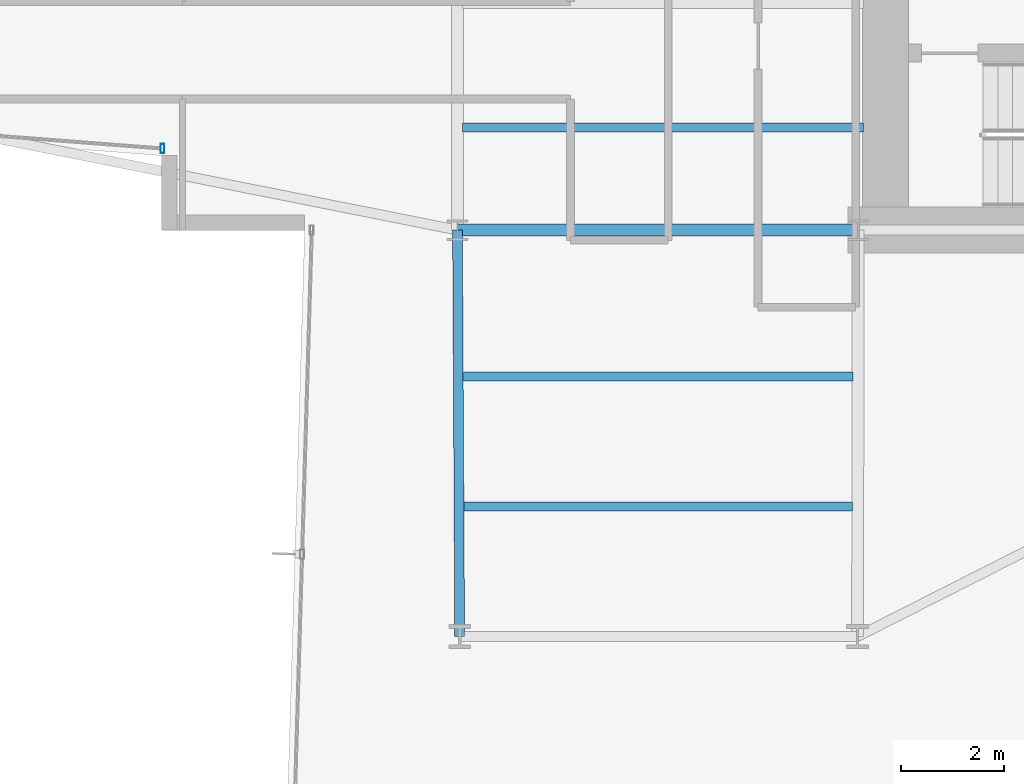
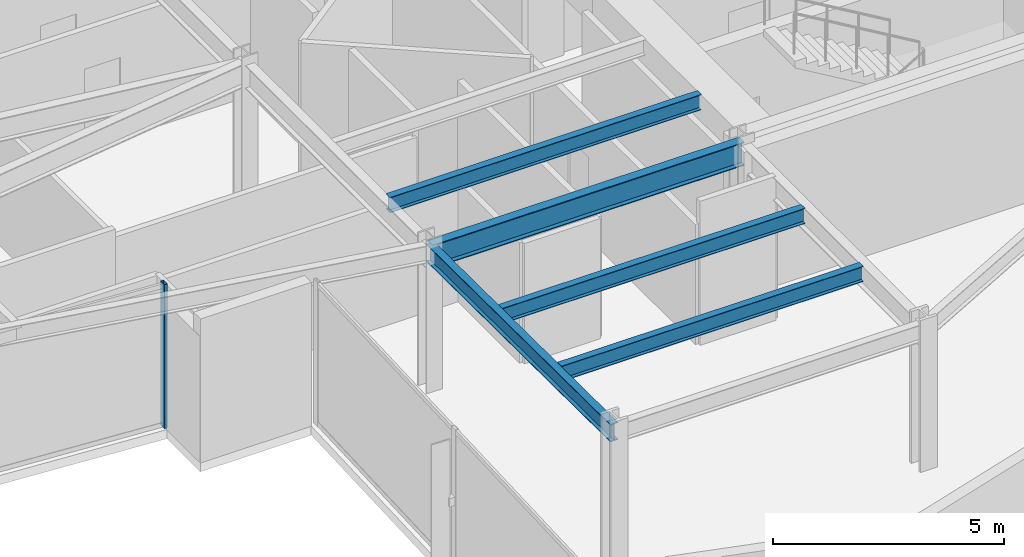
# One storey, part 5 of 29: 5 beams, 1 member, 1 element without a shape of its own.
"""IFC4 building model written with IfcOpenShell, lengths in metres."""

from ifc_helpers import new_model, si_unit, direction, frame, origin, origin_2d, place, context, subcontext, project, spatial, hollow_rectangle, i_section, extrude, material, layer, layer_set, material_profile, profile_set, type_object, element, aggregate, save


model = new_model("IFC4")

# Units and contexts
model_context = context("Model", 3, precision=1e-05, world=origin(), true_north=direction((0.0, 1.0)))
body_context = subcontext(model_context, "Body", "Model", "MODEL_VIEW")
ifc_project = project(units=[si_unit("LENGTHUNIT", "METRE"), si_unit("AREAUNIT", "SQUARE_METRE"), si_unit("VOLUMEUNIT", "CUBIC_METRE"), si_unit("PLANEANGLEUNIT", "RADIAN"), si_unit("MASSUNIT", "GRAM", prefix="KILO")], contexts=[model_context])

# Site, building, storey
site_placement = place(None, origin())
site = spatial("IfcSite", under=ifc_project, at=site_placement, CompositionType="ELEMENT")
building_placement = place(site_placement, origin())
building = spatial("IfcBuilding", under=site, at=building_placement, Name="Veymaron Broadcast Tower", CompositionType="ELEMENT")
storey_placement = place(building_placement, frame((0.0, 0.0, 41.85009765625)))
storey = spatial("IfcBuildingStorey", under=building, at=storey_placement, Name="L08", CompositionType="ELEMENT", Elevation=41.85009765625)

# Beams
ifc_material_1 = material(Name="Structural steel ASTM A992 Gr 50", Category="steel")
ifc_material_profile_1 = material_profile(ifc_material_1, i_section(OverallWidth=0.22998046875, OverallDepth=0.616943359375, WebThickness=0.01318359375, FlangeThickness=0.022216796875, at=origin_2d()), Name="W610X140")
ifc_profile_set_1 = profile_set([ifc_material_profile_1], Name="Structural steel ASTM A992 Gr 50")
beam_type_1 = type_object("IfcBeamType", Name="BM-FG1", PredefinedType="BEAM", material=ifc_profile_set_1)
beam_1_placement = place(storey_placement, frame((31.199951171875, 16.0, 3.50146484375), z_axis=(1.0, 0.0, 0.0), x_axis=(0.0, 1.0, 0.0)))
element("IfcBeam", 1, at=beam_1_placement, inside=storey, type_object=beam_type_1, Name="L08 primary structural floor girder", PredefinedType="BEAM", context=body_context, shape_type="SweptSolid", body=[
    extrude(i_section(OverallWidth=0.22998046875, OverallDepth=0.616943359375, WebThickness=0.01318359375, FlangeThickness=0.022216796875, at=origin_2d()), origin(), (0.0, 0.0, 1.0), 7.800048828125),
])
ifc_material_profile_2 = material_profile(ifc_material_1, i_section(OverallWidth=0.177978515625, OverallDepth=0.406982421875, WebThickness=0.0078125, FlangeThickness=0.0126953125, at=origin_2d()), Name="W410X60")
ifc_profile_set_2 = profile_set([ifc_material_profile_2], Name="Structural steel ASTM A992 Gr 50")
beam_type_2 = type_object("IfcBeamType", Name="BM-JS1", PredefinedType="JOIST", material=ifc_profile_set_2)
beam_2_placement = place(storey_placement, frame((31.315185546875, 13.15234375, 3.6064453125), z_axis=(1.0, 0.0, 0.0), x_axis=(0.0, 1.0, 0.0)))
element("IfcBeam", 2, at=beam_2_placement, inside=storey, type_object=beam_type_2, Name="L08 Arm-C secondary joist 1", PredefinedType="JOIST", context=body_context, shape_type="SweptSolid", body=[
    extrude(i_section(OverallWidth=0.177978515625, OverallDepth=0.406982421875, WebThickness=0.0078125, FlangeThickness=0.0126953125, at=origin_2d()), origin(), (0.0, 0.0, 1.0), 7.579345703125),
])
beam_3_placement = place(storey_placement, frame((31.32861328125, 10.62109375, 3.6064453125), z_axis=(1.0, 0.0, 0.0), x_axis=(0.0, 1.0, 0.0)))
element("IfcBeam", 3, at=beam_3_placement, inside=storey, type_object=beam_type_2, Name="L08 Arm-C secondary joist 2", PredefinedType="JOIST", context=body_context, shape_type="SweptSolid", body=[
    extrude(i_section(OverallWidth=0.177978515625, OverallDepth=0.406982421875, WebThickness=0.0078125, FlangeThickness=0.0126953125, at=origin_2d()), origin(), (0.0, 0.0, 1.0), 7.561279296875),
])
beam_4_placement = place(storey_placement, frame((31.300048828125, 18.0, 3.6064453125), z_axis=(1.0, 0.0, 0.0), x_axis=(0.0, 1.0, 0.0)))
element("IfcBeam", 4, at=beam_4_placement, inside=storey, type_object=beam_type_2, Name="L08 Hub secondary joist 1", PredefinedType="JOIST", context=body_context, shape_type="SweptSolid", body=[
    extrude(i_section(OverallWidth=0.177978515625, OverallDepth=0.406982421875, WebThickness=0.0078125, FlangeThickness=0.0126953125, at=origin_2d()), origin(), (0.0, 0.0, 1.0), 7.800048828125),
])
ifc_material_profile_3 = material_profile(ifc_material_1, i_section(OverallWidth=0.19091796875, OverallDepth=0.4599609375, WebThickness=0.010009765625, FlangeThickness=0.01611328125, at=origin_2d()), Name="W460X82")
ifc_profile_set_3 = profile_set([ifc_material_profile_3], Name="Structural steel ASTM A992 Gr 50")
beam_type_3 = type_object("IfcBeamType", Name="BM-SP1", PredefinedType="SPANDREL", material=ifc_profile_set_3)
beam_5_placement = place(storey_placement, frame((31.199951171875, 16.0, 3.579833984375), z_axis=(0.005308731019, -0.999985908588, 0.0), x_axis=(0.999985908588, 0.005308731019, 0.0)))
element("IfcBeam", 5, at=beam_5_placement, inside=storey, type_object=beam_type_3, Name="L08 primary structural floor girder", PredefinedType="SPANDREL", context=body_context, shape_type="SweptSolid", body=[
    extrude(i_section(OverallWidth=0.19091796875, OverallDepth=0.4599609375, WebThickness=0.010009765625, FlangeThickness=0.01611328125, at=origin_2d()), origin(), (0.0, 0.0, 1.0), 7.909912109375),
])

# Curtain wall, member
ifc_material_2 = material(Name="Anodised aluminium AA 6063-T6 and laminated low-E dark glass", Category="aluminium")
ifc_layer = layer(ifc_material_2, 0.179931640625)
ifc_layer_set = layer_set([ifc_layer], Name="Anodised aluminium AA 6063-T6 and laminated low-E dark glass")
curtain_wall_type = type_object("IfcCurtainWallType", Name="CW-SYS-02", PredefinedType="NOTDEFINED", material=ifc_layer_set)
curtain_wall_placement = place(storey_placement, origin())
curtain_wall = element("IfcCurtainWall", 6, at=curtain_wall_placement, inside=storey, type_object=curtain_wall_type, Name="L08 dark-glass curtain wall CW-L08-E14-1", PredefinedType="NOTDEFINED")
ifc_material_3 = material(Name="Anodised aluminium AA 6063-T6", Category="aluminium")
ifc_material_profile_4 = material_profile(ifc_material_3, hollow_rectangle(XDim=0.074951171875, YDim=0.179931640625, WallThickness=0.0048828125, at=origin_2d()), Name="AL180X75X5")
ifc_profile_set_4 = profile_set([ifc_material_profile_4], Name="Anodised aluminium AA 6063-T6")
member_type = type_object("IfcMemberType", Name="CW-MUL-02", PredefinedType="MULLION", material=ifc_profile_set_4)
member_placement = place(storey_placement, frame((25.458740234375, 17.587890625, 0.0), z_axis=(0.0, 0.0, 1.0), x_axis=(1.0, 0.0, 0.0)))
member = element("IfcMember", 7, at=member_placement, type_object=member_type, Name="CW-L08-E14-1 mullion 3", PredefinedType="MULLION", context=body_context, shape_type="SweptSolid", body=[
    extrude(hollow_rectangle(XDim=0.074951171875, YDim=0.179931640625, WallThickness=0.0048828125, at=origin_2d()), origin(), (0.0, 0.0, 1.0), 3.809814453125),
])
aggregate(curtain_wall, [member])

save(model, "model.ifc")
